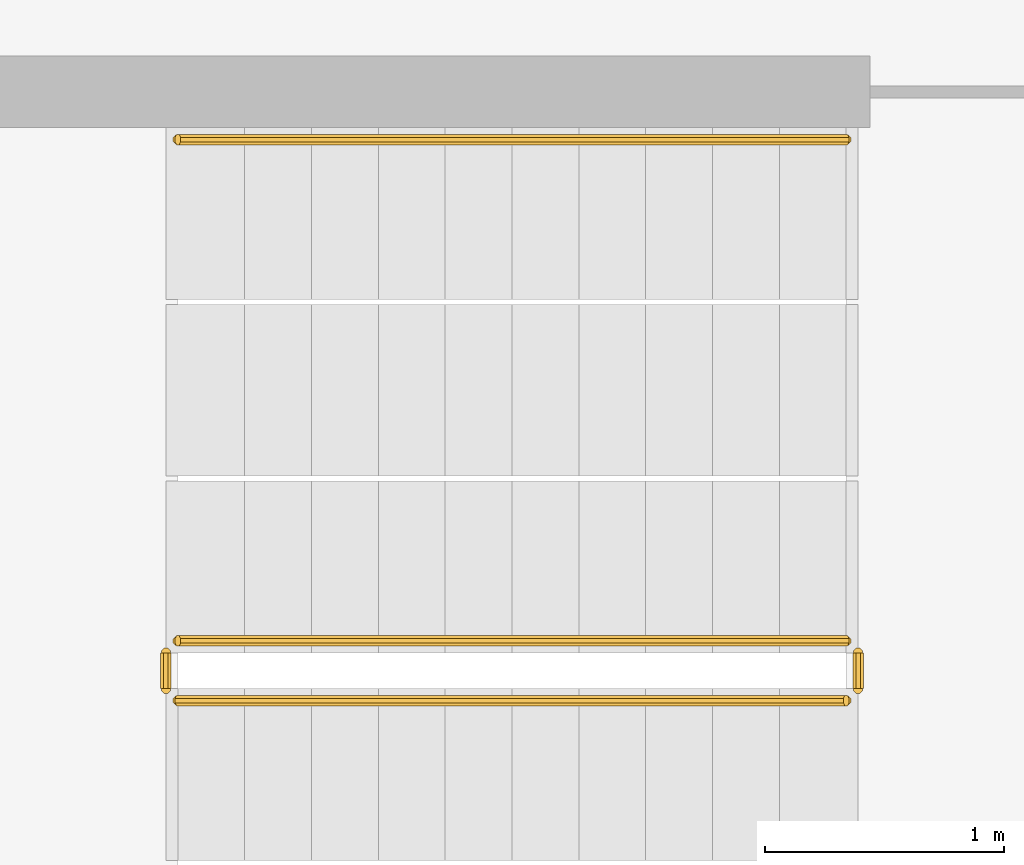
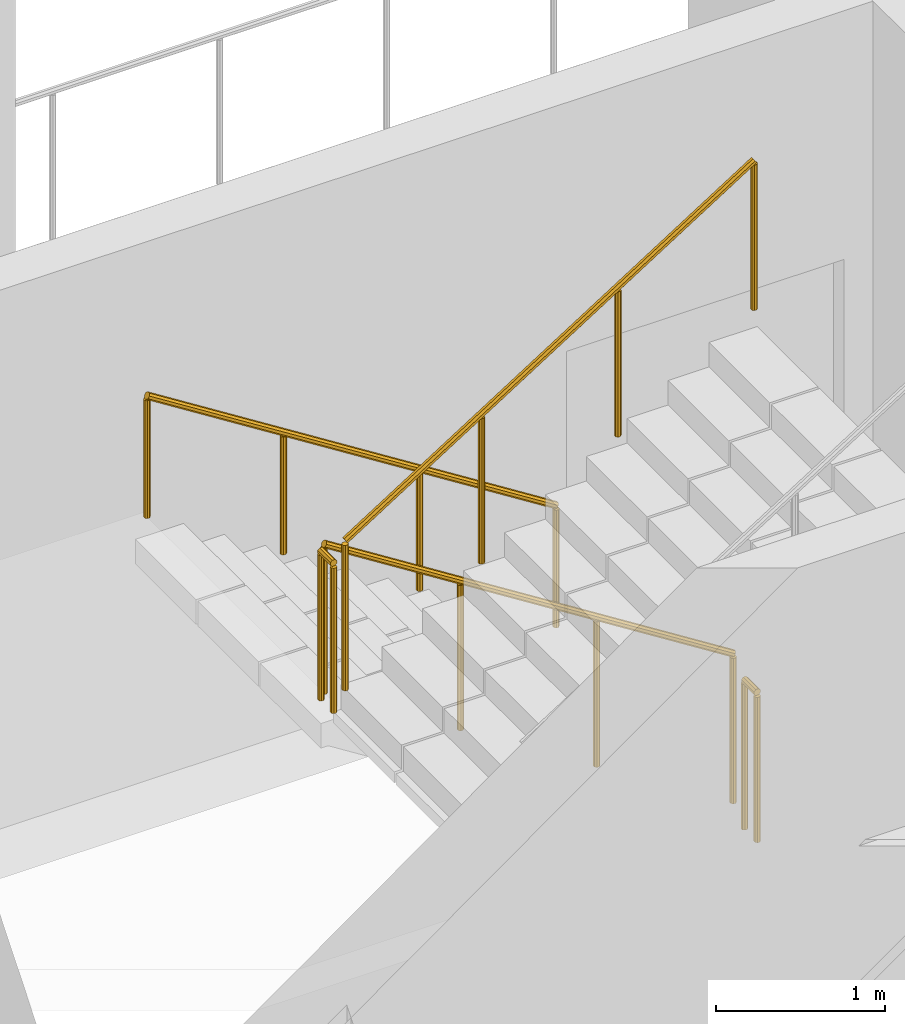
# One storey, part 20 of 27: 5 railings.
"""IFC4 building model written with IfcOpenShell, lengths in metres."""

from ifc_helpers import new_model, si_unit, direction, frame, origin, place, context, subcontext, project, spatial, polyline, outline, extrude, material, type_object, element, save


model = new_model("IFC4")

# Units and contexts
model_context = context("Model", 3, precision=1e-05, world=origin(), true_north=direction((0.0, 1.0)))
body_context = subcontext(model_context, "Body", "Model", "MODEL_VIEW")
ifc_project = project(units=[si_unit("LENGTHUNIT", "METRE"), si_unit("AREAUNIT", "SQUARE_METRE"), si_unit("VOLUMEUNIT", "CUBIC_METRE"), si_unit("PLANEANGLEUNIT", "RADIAN"), si_unit("MASSUNIT", "GRAM", prefix="KILO")], contexts=[model_context])

# Site, building, storey
site_placement = place(None, origin())
site = spatial("IfcSite", under=ifc_project, at=site_placement, CompositionType="ELEMENT")
building_placement = place(site_placement, origin())
building = spatial("IfcBuilding", under=site, at=building_placement, Name="Cormorant Relay Tower", CompositionType="ELEMENT")
storey_placement = place(building_placement, frame((0.0, 0.0, 209.10009765625)))
storey = spatial("IfcBuildingStorey", under=building, at=storey_placement, Name="L45", CompositionType="ELEMENT", Elevation=209.10009765625)

# Railings
ifc_material_1 = material(Name="Steel ASTM A572 Grade 50 (Fy 345 MPa)", Category="steel")
railing_type_1 = type_object("IfcRailingType", Name="Stair guard 1100", PredefinedType="GUARDRAIL", material=ifc_material_1)
railing_1_placement = place(storey_placement, frame((1.60009765625, -18.27490234375, 0.17724609375)))
element("IfcRailing", 1, at=railing_1_placement, inside=storey, type_object=railing_type_1, Name="L45 RK1 stair guard 1", PredefinedType="GUARDRAIL", context=body_context, shape_type="SweptSolid", body=[
    extrude(outline(polyline([(0.022216796875, 0.00927734375), (0.00927734375, 0.022216796875), (-0.00927734375, 0.022216796875), (-0.022216796875, 0.00927734375), (-0.022216796875, -0.00927734375), (-0.00927734375, -0.022216796875), (0.00927734375, -0.022216796875), (0.022216796875, -0.00927734375), (0.022216796875, 0.00927734375)])), frame((0.0, 0.0, 1.076171875), z_axis=(-0.844908973607, 0.0, 0.534910110503), x_axis=(0.0, -1.0, 0.0)), (0.0, 0.0, 1.0), 3.31396484375),
    extrude(outline(polyline([(0.019287109375, 0.008056640625), (0.008056640625, 0.019287109375), (-0.008056640625, 0.019287109375), (-0.019287109375, 0.008056640625), (-0.019287109375, -0.008056640625), (-0.008056640625, -0.019287109375), (0.008056640625, -0.019287109375), (0.019287109375, -0.008056640625), (0.019287109375, 0.008056640625)])), origin(), (0.0, 0.0, 1.0), 1.052001953125),
    extrude(outline(polyline([(0.019287109375, 0.008056640625), (0.008056640625, 0.019287109375), (-0.008056640625, 0.019287109375), (-0.019287109375, 0.008056640625), (-0.019287109375, -0.008056640625), (-0.008056640625, -0.019287109375), (0.008056640625, -0.019287109375), (0.019287109375, -0.008056640625), (0.019287109375, 0.008056640625)])), frame((-0.933349609375, 0.0, 0.5908203125)), (0.0, 0.0, 1.0), 1.052001953125),
    extrude(outline(polyline([(0.019287109375, 0.008056640625), (0.008056640625, 0.019287109375), (-0.008056640625, 0.019287109375), (-0.019287109375, 0.008056640625), (-0.019287109375, -0.008056640625), (-0.008056640625, -0.019287109375), (0.008056640625, -0.019287109375), (0.019287109375, -0.008056640625), (0.019287109375, 0.008056640625)])), frame((-1.86669921875, 0.0, 1.181884765625)), (0.0, 0.0, 1.0), 1.052001953125),
    extrude(outline(polyline([(0.019287109375, 0.008056640625), (0.008056640625, 0.019287109375), (-0.008056640625, 0.019287109375), (-0.019287109375, 0.008056640625), (-0.019287109375, -0.008056640625), (-0.008056640625, -0.019287109375), (0.008056640625, -0.019287109375), (0.019287109375, -0.008056640625), (0.019287109375, 0.008056640625)])), frame((-2.800048828125, 0.0, 1.772705078125)), (0.0, 0.0, 1.0), 1.052001953125),
])
railing_2_placement = place(storey_placement, frame((-1.25, -18.324951171875, 1.949951171875)))
element("IfcRailing", 2, at=railing_2_placement, inside=storey, type_object=railing_type_1, Name="L45 RK1 stair guard 2", PredefinedType="GUARDRAIL", context=body_context, shape_type="SweptSolid", body=[
    extrude(outline(polyline([(0.022216796875, 0.00927734375), (0.00927734375, 0.022216796875), (-0.00927734375, 0.022216796875), (-0.022216796875, 0.00927734375), (-0.022216796875, -0.00927734375), (-0.00927734375, -0.022216796875), (0.00927734375, -0.022216796875), (0.022216796875, -0.00927734375), (0.022216796875, 0.00927734375)])), frame((0.0, 0.0, 1.076171875), z_axis=(0.0, -1.0, 0.0), x_axis=(1.0, 0.0, 0.0)), (0.0, 0.0, 1.0), 0.150146484375),
    extrude(outline(polyline([(0.019287109375, 0.008056640625), (0.008056640625, 0.019287109375), (-0.008056640625, 0.019287109375), (-0.019287109375, 0.008056640625), (-0.019287109375, -0.008056640625), (-0.008056640625, -0.019287109375), (0.008056640625, -0.019287109375), (0.019287109375, -0.008056640625), (0.019287109375, 0.008056640625)])), origin(), (0.0, 0.0, 1.0), 1.052001953125),
    extrude(outline(polyline([(0.019287109375, 0.008056640625), (0.008056640625, 0.019287109375), (-0.008056640625, 0.019287109375), (-0.019287109375, 0.008056640625), (-0.019287109375, -0.008056640625), (-0.008056640625, -0.019287109375), (0.008056640625, -0.019287109375), (0.019287109375, -0.008056640625), (0.019287109375, 0.008056640625)])), frame((0.0, -0.150146484375, 0.0)), (0.0, 0.0, 1.0), 1.052001953125),
])
railing_3_placement = place(storey_placement, frame((-1.199951171875, -18.52490234375, 2.127197265625)))
element("IfcRailing", 3, at=railing_3_placement, inside=storey, type_object=railing_type_1, Name="L45 RK1 stair guard 3", PredefinedType="GUARDRAIL", context=body_context, shape_type="SweptSolid", body=[
    extrude(outline(polyline([(0.022216796875, 0.00927734375), (0.00927734375, 0.022216796875), (-0.00927734375, 0.022216796875), (-0.022216796875, 0.00927734375), (-0.022216796875, -0.00927734375), (-0.00927734375, -0.022216796875), (0.00927734375, -0.022216796875), (0.022216796875, -0.00927734375), (0.022216796875, 0.00927734375)])), frame((0.0, 0.0, 1.076171875), z_axis=(0.844908973607, 0.0, 0.534910110503), x_axis=(0.0, 1.0, 0.0)), (0.0, 0.0, 1.0), 3.31396484375),
    extrude(outline(polyline([(0.019287109375, 0.008056640625), (0.008056640625, 0.019287109375), (-0.008056640625, 0.019287109375), (-0.019287109375, 0.008056640625), (-0.019287109375, -0.008056640625), (-0.008056640625, -0.019287109375), (0.008056640625, -0.019287109375), (0.019287109375, -0.008056640625), (0.019287109375, 0.008056640625)])), origin(), (0.0, 0.0, 1.0), 1.052001953125),
    extrude(outline(polyline([(0.019287109375, 0.008056640625), (0.008056640625, 0.019287109375), (-0.008056640625, 0.019287109375), (-0.019287109375, 0.008056640625), (-0.019287109375, -0.008056640625), (-0.008056640625, -0.019287109375), (0.008056640625, -0.019287109375), (0.019287109375, -0.008056640625), (0.019287109375, 0.008056640625)])), frame((0.933349609375, 0.0, 0.5908203125)), (0.0, 0.0, 1.0), 1.052001953125),
    extrude(outline(polyline([(0.019287109375, 0.008056640625), (0.008056640625, 0.019287109375), (-0.008056640625, 0.019287109375), (-0.019287109375, 0.008056640625), (-0.019287109375, -0.008056640625), (-0.008056640625, -0.019287109375), (0.008056640625, -0.019287109375), (0.019287109375, -0.008056640625), (0.019287109375, 0.008056640625)])), frame((1.86669921875, 0.0, 1.181884765625)), (0.0, 0.0, 1.0), 1.052001953125),
    extrude(outline(polyline([(0.019287109375, 0.008056640625), (0.008056640625, 0.019287109375), (-0.008056640625, 0.019287109375), (-0.019287109375, 0.008056640625), (-0.019287109375, -0.008056640625), (-0.008056640625, -0.019287109375), (0.008056640625, -0.019287109375), (0.019287109375, -0.008056640625), (0.019287109375, 0.008056640625)])), frame((2.800048828125, 0.0, 1.772705078125)), (0.0, 0.0, 1.0), 1.052001953125),
])
railing_4_placement = place(storey_placement, frame((1.64990234375, -18.324951171875, 0.0)))
element("IfcRailing", 4, at=railing_4_placement, inside=storey, type_object=railing_type_1, Name="L45 RK1 stair guard 4", PredefinedType="GUARDRAIL", context=body_context, shape_type="SweptSolid", body=[
    extrude(outline(polyline([(0.022216796875, 0.00927734375), (0.00927734375, 0.022216796875), (-0.00927734375, 0.022216796875), (-0.022216796875, 0.00927734375), (-0.022216796875, -0.00927734375), (-0.00927734375, -0.022216796875), (0.00927734375, -0.022216796875), (0.022216796875, -0.00927734375), (0.022216796875, 0.00927734375)])), frame((0.0, 0.0, 1.076171875), z_axis=(0.0, -1.0, 0.0), x_axis=(1.0, 0.0, 0.0)), (0.0, 0.0, 1.0), 0.150146484375),
    extrude(outline(polyline([(0.019287109375, 0.008056640625), (0.008056640625, 0.019287109375), (-0.008056640625, 0.019287109375), (-0.019287109375, 0.008056640625), (-0.019287109375, -0.008056640625), (-0.008056640625, -0.019287109375), (0.008056640625, -0.019287109375), (0.019287109375, -0.008056640625), (0.019287109375, 0.008056640625)])), origin(), (0.0, 0.0, 1.0), 1.052001953125),
    extrude(outline(polyline([(0.019287109375, 0.008056640625), (0.008056640625, 0.019287109375), (-0.008056640625, 0.019287109375), (-0.019287109375, 0.008056640625), (-0.019287109375, -0.008056640625), (-0.008056640625, -0.019287109375), (0.008056640625, -0.019287109375), (0.019287109375, -0.008056640625), (0.019287109375, 0.008056640625)])), frame((0.0, -0.150146484375, 0.0)), (0.0, 0.0, 1.0), 1.052001953125),
])
ifc_material_2 = material(Name="Steel ASTM A572 Grade 50 (Fy 345 MPa)", Category="steel")
railing_type_2 = type_object("IfcRailingType", Name="Stair handrail 900", PredefinedType="HANDRAIL", material=ifc_material_2)
railing_5_placement = place(storey_placement, frame((1.60009765625, -16.175048828125, 0.17724609375)))
element("IfcRailing", 5, at=railing_5_placement, inside=storey, type_object=railing_type_2, Name="L45 RK1 stair handrail 1", PredefinedType="HANDRAIL", context=body_context, shape_type="SweptSolid", body=[
    extrude(outline(polyline([(0.022216796875, 0.00927734375), (0.00927734375, 0.022216796875), (-0.00927734375, 0.022216796875), (-0.022216796875, 0.00927734375), (-0.022216796875, -0.00927734375), (-0.00927734375, -0.022216796875), (0.00927734375, -0.022216796875), (0.022216796875, -0.00927734375), (0.022216796875, 0.00927734375)])), frame((0.0, 0.0, 0.8759765625), z_axis=(-0.844908973607, 0.0, 0.534910110503), x_axis=(0.0, -1.0, 0.0)), (0.0, 0.0, 1.0), 3.31396484375),
    extrude(outline(polyline([(0.019287109375, 0.008056640625), (0.008056640625, 0.019287109375), (-0.008056640625, 0.019287109375), (-0.019287109375, 0.008056640625), (-0.019287109375, -0.008056640625), (-0.008056640625, -0.019287109375), (0.008056640625, -0.019287109375), (0.019287109375, -0.008056640625), (0.019287109375, 0.008056640625)])), origin(), (0.0, 0.0, 1.0), 0.851806640625),
    extrude(outline(polyline([(0.019287109375, 0.008056640625), (0.008056640625, 0.019287109375), (-0.008056640625, 0.019287109375), (-0.019287109375, 0.008056640625), (-0.019287109375, -0.008056640625), (-0.008056640625, -0.019287109375), (0.008056640625, -0.019287109375), (0.019287109375, -0.008056640625), (0.019287109375, 0.008056640625)])), frame((-0.933349609375, 0.0, 0.5908203125)), (0.0, 0.0, 1.0), 0.851806640625),
    extrude(outline(polyline([(0.019287109375, 0.008056640625), (0.008056640625, 0.019287109375), (-0.008056640625, 0.019287109375), (-0.019287109375, 0.008056640625), (-0.019287109375, -0.008056640625), (-0.008056640625, -0.019287109375), (0.008056640625, -0.019287109375), (0.019287109375, -0.008056640625), (0.019287109375, 0.008056640625)])), frame((-1.86669921875, 0.0, 1.181884765625)), (0.0, 0.0, 1.0), 0.851806640625),
    extrude(outline(polyline([(0.019287109375, 0.008056640625), (0.008056640625, 0.019287109375), (-0.008056640625, 0.019287109375), (-0.019287109375, 0.008056640625), (-0.019287109375, -0.008056640625), (-0.008056640625, -0.019287109375), (0.008056640625, -0.019287109375), (0.019287109375, -0.008056640625), (0.019287109375, 0.008056640625)])), frame((-2.800048828125, 0.0, 1.772705078125)), (0.0, 0.0, 1.0), 0.851806640625),
])

save(model, "model.ifc")
